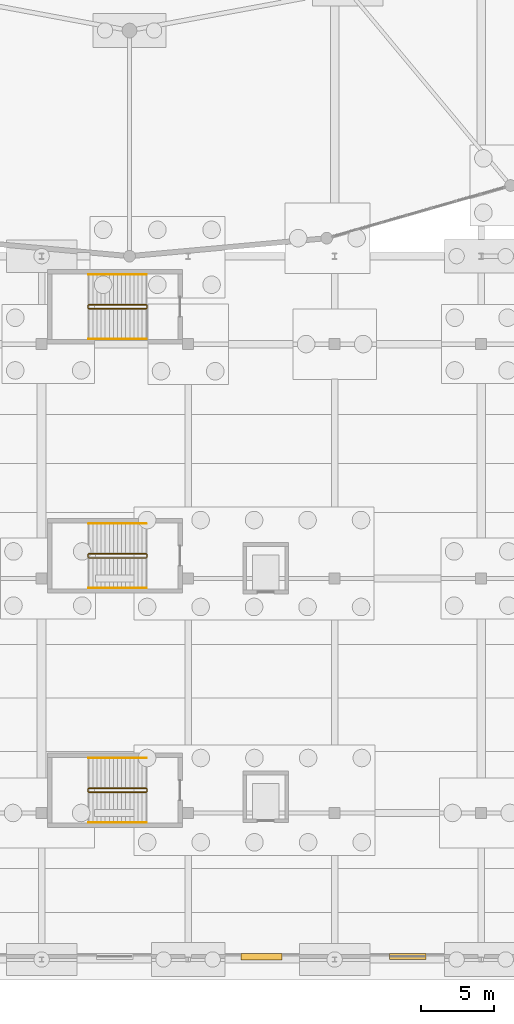
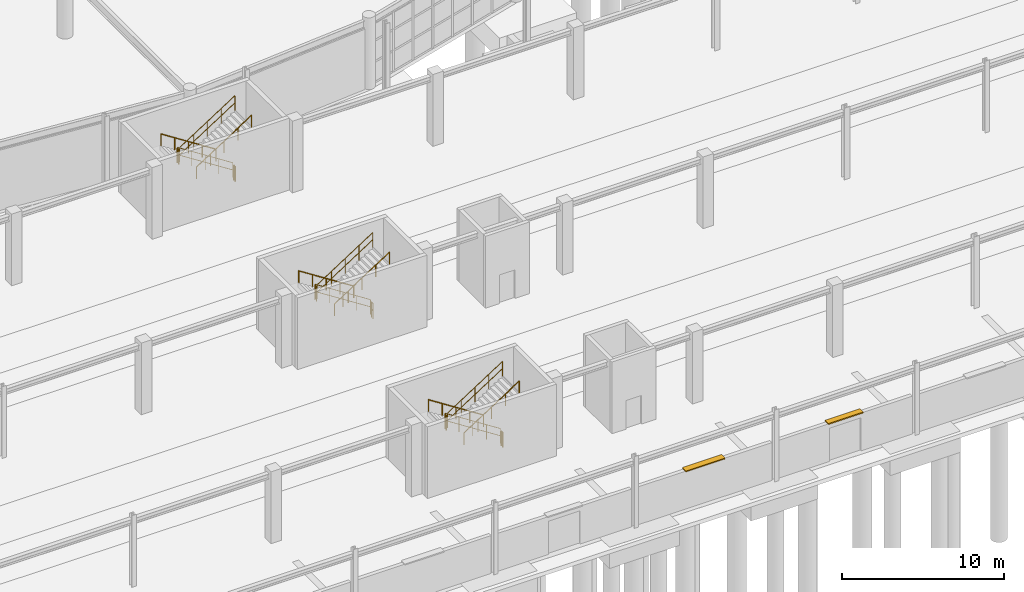
# One storey, part 88 of 99: 18 railings, 2 shading devices.
"""IFC4 building model written with IfcOpenShell, lengths in metres."""

from ifc_helpers import new_model, si_unit, direction, frame, origin, origin_2d, place, context, subcontext, project, spatial, rectangle, circle, extrude, material, layer, layer_set, type_object, element, save


model = new_model("IFC4")

# Units and contexts
model_context = context("Model", 3, precision=1e-05, world=origin(), true_north=direction((0.0, 1.0)))
body_context = subcontext(model_context, "Body", "Model", "MODEL_VIEW")
ifc_project = project(units=[si_unit("LENGTHUNIT", "METRE"), si_unit("AREAUNIT", "SQUARE_METRE"), si_unit("VOLUMEUNIT", "CUBIC_METRE"), si_unit("PLANEANGLEUNIT", "RADIAN"), si_unit("MASSUNIT", "GRAM", prefix="KILO")], contexts=[model_context])

# Site, building, storey
site_placement = place(None, origin())
site = spatial("IfcSite", under=ifc_project, at=site_placement, CompositionType="ELEMENT")
building_placement = place(site_placement, origin())
building = spatial("IfcBuilding", under=site, at=building_placement, Name="Kivolera Central Railway Station", CompositionType="ELEMENT")
storey_placement = place(building_placement, origin())
storey = spatial("IfcBuildingStorey", under=building, at=storey_placement, Name="L00", CompositionType="ELEMENT", Elevation=0.0)

# Shading devices
ifc_material = material(Name="Anodised aluminium", Category="aluminium")
ifc_layer_1 = layer(ifc_material, 0.080078125, Name="Anodised aluminium")
ifc_layer_set_1 = layer_set([ifc_layer_1], Name="Anodised aluminium")
shading_device_type_1 = type_object("IfcShadingDeviceType", Name="BS-LVR-A", PredefinedType="JALOUSIE", material=ifc_layer_set_1)
shading_device_1_placement = place(storey_placement, frame((73.0, 6.199951171875, 2.845947265625), z_axis=(0.0, 0.0, 1.0), x_axis=(1.0, 0.0, 0.0)))
element("IfcShadingDevice", 1, at=shading_device_1_placement, inside=storey, type_object=shading_device_type_1, Name="Platform Monsoon Wind-Baffle Louvre 07", PredefinedType="JALOUSIE", context=body_context, shape_type="SweptSolid", body=[
    extrude(rectangle(XDim=2.800048828125, YDim=0.449951171875, at=origin_2d()), origin(), (0.0, 0.0, 1.0), 0.080078125),
])
ifc_layer_2 = layer(ifc_material, 0.0849609375, Name="Anodised aluminium")
ifc_layer_set_2 = layer_set([ifc_layer_2], Name="Anodised aluminium")
shading_device_type_2 = type_object("IfcShadingDeviceType", Name="BS-LVR-C", PredefinedType="JALOUSIE", material=ifc_layer_set_2)
shading_device_2_placement = place(storey_placement, frame((83.0, 6.199951171875, 2.846435546875), z_axis=(0.0, 0.0, 1.0), x_axis=(1.0, 0.0, 0.0)))
element("IfcShadingDevice", 2, at=shading_device_2_placement, inside=storey, type_object=shading_device_type_2, Name="Platform Monsoon Wind-Baffle Louvre 08", PredefinedType="JALOUSIE", context=body_context, shape_type="SweptSolid", body=[
    extrude(rectangle(XDim=2.5, YDim=0.419921875, at=origin_2d()), origin(), (0.0, 0.0, 1.0), 0.0849609375),
])

# Railings
ifc_layer_3 = layer(ifc_material, 0.048095703125, Name="Anodised aluminium")
ifc_layer_set_3 = layer_set([ifc_layer_3], Name="Anodised aluminium")
railing_type_1 = type_object("IfcRailingType", Name="RL-STAIR-GUARD", PredefinedType="GUARDRAIL", material=ifc_layer_set_3)
railing_1_placement = place(storey_placement, frame((65.139892578125, 50.68994140625, 0.179931640625)))
element("IfcRailing", 3, at=railing_1_placement, inside=storey, type_object=railing_type_1, Name="L00 ST8 stair guard 1", PredefinedType="GUARDRAIL", context=body_context, shape_type="SweptSolid", body=[
    extrude(circle(Radius=0.02392578125, at=origin_2d()), frame((0.0, 0.0, 1.10595703125), z_axis=(-0.841171666519, 0.0, 0.540768182723), x_axis=(0.0, -1.0, 0.0)), (0.0, 0.0, 1.0), 4.66015625),
    extrude(circle(Radius=0.02392578125, at=origin_2d()), frame((0.0, 0.0, 0.56494140625), z_axis=(-0.841171666519, 0.0, 0.540768182723), x_axis=(0.0, -1.0, 0.0)), (0.0, 0.0, 1.0), 4.66015625),
    extrude(circle(Radius=0.02099609375, at=origin_2d()), origin(), (0.0, 0.0, 1.0), 1.081787109375),
    extrude(circle(Radius=0.02099609375, at=origin_2d()), frame((-0.97998046875, 0.0, 0.6298828125)), (0.0, 0.0, 1.0), 1.081787109375),
    extrude(circle(Radius=0.02099609375, at=origin_2d()), frame((-1.9599609375, 0.0, 1.260009765625)), (0.0, 0.0, 1.0), 1.081787109375),
    extrude(circle(Radius=0.02099609375, at=origin_2d()), frame((-2.93994140625, 0.0, 1.89013671875)), (0.0, 0.0, 1.0), 1.081787109375),
    extrude(circle(Radius=0.02099609375, at=origin_2d()), frame((-3.919921875, 0.0, 2.52001953125)), (0.0, 0.0, 1.0), 1.081787109375),
])
railing_2_placement = place(storey_placement, frame((61.169921875, 50.639892578125, 2.699951171875)))
element("IfcRailing", 4, at=railing_2_placement, inside=storey, type_object=railing_type_1, Name="L00 ST8 stair guard 2", PredefinedType="GUARDRAIL", context=body_context, shape_type="SweptSolid", body=[
    extrude(circle(Radius=0.02392578125, at=origin_2d()), frame((0.0, 0.0, 1.10595703125), z_axis=(0.0, -1.0, 0.0), x_axis=(1.0, 0.0, 0.0)), (0.0, 0.0, 1.0), 0.179931640625),
    extrude(circle(Radius=0.02392578125, at=origin_2d()), frame((0.0, 0.0, 0.56494140625), z_axis=(0.0, -1.0, 0.0), x_axis=(1.0, 0.0, 0.0)), (0.0, 0.0, 1.0), 0.179931640625),
    extrude(circle(Radius=0.02099609375, at=origin_2d()), origin(), (0.0, 0.0, 1.0), 1.081787109375),
    extrude(circle(Radius=0.02099609375, at=origin_2d()), frame((0.0, -0.179931640625, 0.0)), (0.0, 0.0, 1.0), 1.081787109375),
])
railing_3_placement = place(storey_placement, frame((61.219970703125, 50.409912109375, 2.8798828125)))
element("IfcRailing", 5, at=railing_3_placement, inside=storey, type_object=railing_type_1, Name="L00 ST8 stair guard 3", PredefinedType="GUARDRAIL", context=body_context, shape_type="SweptSolid", body=[
    extrude(circle(Radius=0.02392578125, at=origin_2d()), frame((0.0, 0.0, 1.10595703125), z_axis=(0.841171666519, 0.0, 0.540768182723), x_axis=(0.0, 1.0, 0.0)), (0.0, 0.0, 1.0), 4.66015625),
    extrude(circle(Radius=0.02392578125, at=origin_2d()), frame((0.0, 0.0, 0.56494140625), z_axis=(0.841171666519, 0.0, 0.540768182723), x_axis=(0.0, 1.0, 0.0)), (0.0, 0.0, 1.0), 4.66015625),
    extrude(circle(Radius=0.02099609375, at=origin_2d()), origin(), (0.0, 0.0, 1.0), 1.081787109375),
    extrude(circle(Radius=0.02099609375, at=origin_2d()), frame((0.97998046875, 0.0, 0.6298828125)), (0.0, 0.0, 1.0), 1.081787109375),
    extrude(circle(Radius=0.02099609375, at=origin_2d()), frame((1.9599609375, 0.0, 1.260009765625)), (0.0, 0.0, 1.0), 1.081787109375),
    extrude(circle(Radius=0.02099609375, at=origin_2d()), frame((2.93994140625, 0.0, 1.89013671875)), (0.0, 0.0, 1.0), 1.081787109375),
    extrude(circle(Radius=0.02099609375, at=origin_2d()), frame((3.919921875, 0.0, 2.52001953125)), (0.0, 0.0, 1.0), 1.081787109375),
])
railing_4_placement = place(storey_placement, frame((65.18994140625, 50.639892578125, 0.0)))
element("IfcRailing", 6, at=railing_4_placement, inside=storey, type_object=railing_type_1, Name="L00 ST8 stair guard 4", PredefinedType="GUARDRAIL", context=body_context, shape_type="SweptSolid", body=[
    extrude(circle(Radius=0.02392578125, at=origin_2d()), frame((0.0, 0.0, 1.10595703125), z_axis=(0.0, -1.0, 0.0), x_axis=(1.0, 0.0, 0.0)), (0.0, 0.0, 1.0), 0.179931640625),
    extrude(circle(Radius=0.02392578125, at=origin_2d()), frame((0.0, 0.0, 0.56494140625), z_axis=(0.0, -1.0, 0.0), x_axis=(1.0, 0.0, 0.0)), (0.0, 0.0, 1.0), 0.179931640625),
    extrude(circle(Radius=0.02099609375, at=origin_2d()), origin(), (0.0, 0.0, 1.0), 1.081787109375),
    extrude(circle(Radius=0.02099609375, at=origin_2d()), frame((0.0, -0.179931640625, 0.0)), (0.0, 0.0, 1.0), 1.081787109375),
])
railing_5_placement = place(storey_placement, frame((65.139892578125, 33.68994140625, 0.179931640625)))
element("IfcRailing", 7, at=railing_5_placement, inside=storey, type_object=railing_type_1, Name="L00 ST9 stair guard 1", PredefinedType="GUARDRAIL", context=body_context, shape_type="SweptSolid", body=[
    extrude(circle(Radius=0.02392578125, at=origin_2d()), frame((0.0, 0.0, 1.10595703125), z_axis=(-0.841171666519, 0.0, 0.540768182723), x_axis=(0.0, -1.0, 0.0)), (0.0, 0.0, 1.0), 4.66015625),
    extrude(circle(Radius=0.02392578125, at=origin_2d()), frame((0.0, 0.0, 0.56494140625), z_axis=(-0.841171666519, 0.0, 0.540768182723), x_axis=(0.0, -1.0, 0.0)), (0.0, 0.0, 1.0), 4.66015625),
    extrude(circle(Radius=0.02099609375, at=origin_2d()), origin(), (0.0, 0.0, 1.0), 1.081787109375),
    extrude(circle(Radius=0.02099609375, at=origin_2d()), frame((-0.97998046875, 0.0, 0.6298828125)), (0.0, 0.0, 1.0), 1.081787109375),
    extrude(circle(Radius=0.02099609375, at=origin_2d()), frame((-1.9599609375, 0.0, 1.260009765625)), (0.0, 0.0, 1.0), 1.081787109375),
    extrude(circle(Radius=0.02099609375, at=origin_2d()), frame((-2.93994140625, 0.0, 1.89013671875)), (0.0, 0.0, 1.0), 1.081787109375),
    extrude(circle(Radius=0.02099609375, at=origin_2d()), frame((-3.919921875, 0.0, 2.52001953125)), (0.0, 0.0, 1.0), 1.081787109375),
])
railing_6_placement = place(storey_placement, frame((61.169921875, 33.639892578125, 2.699951171875)))
element("IfcRailing", 8, at=railing_6_placement, inside=storey, type_object=railing_type_1, Name="L00 ST9 stair guard 2", PredefinedType="GUARDRAIL", context=body_context, shape_type="SweptSolid", body=[
    extrude(circle(Radius=0.02392578125, at=origin_2d()), frame((0.0, 0.0, 1.10595703125), z_axis=(0.0, -1.0, 0.0), x_axis=(1.0, 0.0, 0.0)), (0.0, 0.0, 1.0), 0.179931640625),
    extrude(circle(Radius=0.02392578125, at=origin_2d()), frame((0.0, 0.0, 0.56494140625), z_axis=(0.0, -1.0, 0.0), x_axis=(1.0, 0.0, 0.0)), (0.0, 0.0, 1.0), 0.179931640625),
    extrude(circle(Radius=0.02099609375, at=origin_2d()), origin(), (0.0, 0.0, 1.0), 1.081787109375),
    extrude(circle(Radius=0.02099609375, at=origin_2d()), frame((0.0, -0.179931640625, 0.0)), (0.0, 0.0, 1.0), 1.081787109375),
])
railing_7_placement = place(storey_placement, frame((61.219970703125, 33.409912109375, 2.8798828125)))
element("IfcRailing", 9, at=railing_7_placement, inside=storey, type_object=railing_type_1, Name="L00 ST9 stair guard 3", PredefinedType="GUARDRAIL", context=body_context, shape_type="SweptSolid", body=[
    extrude(circle(Radius=0.02392578125, at=origin_2d()), frame((0.0, 0.0, 1.10595703125), z_axis=(0.841171666519, 0.0, 0.540768182723), x_axis=(0.0, 1.0, 0.0)), (0.0, 0.0, 1.0), 4.66015625),
    extrude(circle(Radius=0.02392578125, at=origin_2d()), frame((0.0, 0.0, 0.56494140625), z_axis=(0.841171666519, 0.0, 0.540768182723), x_axis=(0.0, 1.0, 0.0)), (0.0, 0.0, 1.0), 4.66015625),
    extrude(circle(Radius=0.02099609375, at=origin_2d()), origin(), (0.0, 0.0, 1.0), 1.081787109375),
    extrude(circle(Radius=0.02099609375, at=origin_2d()), frame((0.97998046875, 0.0, 0.6298828125)), (0.0, 0.0, 1.0), 1.081787109375),
    extrude(circle(Radius=0.02099609375, at=origin_2d()), frame((1.9599609375, 0.0, 1.260009765625)), (0.0, 0.0, 1.0), 1.081787109375),
    extrude(circle(Radius=0.02099609375, at=origin_2d()), frame((2.93994140625, 0.0, 1.89013671875)), (0.0, 0.0, 1.0), 1.081787109375),
    extrude(circle(Radius=0.02099609375, at=origin_2d()), frame((3.919921875, 0.0, 2.52001953125)), (0.0, 0.0, 1.0), 1.081787109375),
])
railing_8_placement = place(storey_placement, frame((65.18994140625, 33.639892578125, 0.0)))
element("IfcRailing", 10, at=railing_8_placement, inside=storey, type_object=railing_type_1, Name="L00 ST9 stair guard 4", PredefinedType="GUARDRAIL", context=body_context, shape_type="SweptSolid", body=[
    extrude(circle(Radius=0.02392578125, at=origin_2d()), frame((0.0, 0.0, 1.10595703125), z_axis=(0.0, -1.0, 0.0), x_axis=(1.0, 0.0, 0.0)), (0.0, 0.0, 1.0), 0.179931640625),
    extrude(circle(Radius=0.02392578125, at=origin_2d()), frame((0.0, 0.0, 0.56494140625), z_axis=(0.0, -1.0, 0.0), x_axis=(1.0, 0.0, 0.0)), (0.0, 0.0, 1.0), 0.179931640625),
    extrude(circle(Radius=0.02099609375, at=origin_2d()), origin(), (0.0, 0.0, 1.0), 1.081787109375),
    extrude(circle(Radius=0.02099609375, at=origin_2d()), frame((0.0, -0.179931640625, 0.0)), (0.0, 0.0, 1.0), 1.081787109375),
])
railing_9_placement = place(storey_placement, frame((65.139892578125, 17.68994140625, 0.179931640625)))
element("IfcRailing", 11, at=railing_9_placement, inside=storey, type_object=railing_type_1, Name="L00 ST10 stair guard 1", PredefinedType="GUARDRAIL", context=body_context, shape_type="SweptSolid", body=[
    extrude(circle(Radius=0.02392578125, at=origin_2d()), frame((0.0, 0.0, 1.10595703125), z_axis=(-0.841171666519, 0.0, 0.540768182723), x_axis=(0.0, -1.0, 0.0)), (0.0, 0.0, 1.0), 4.66015625),
    extrude(circle(Radius=0.02392578125, at=origin_2d()), frame((0.0, 0.0, 0.56494140625), z_axis=(-0.841171666519, 0.0, 0.540768182723), x_axis=(0.0, -1.0, 0.0)), (0.0, 0.0, 1.0), 4.66015625),
    extrude(circle(Radius=0.02099609375, at=origin_2d()), origin(), (0.0, 0.0, 1.0), 1.081787109375),
    extrude(circle(Radius=0.02099609375, at=origin_2d()), frame((-0.97998046875, 0.0, 0.6298828125)), (0.0, 0.0, 1.0), 1.081787109375),
    extrude(circle(Radius=0.02099609375, at=origin_2d()), frame((-1.9599609375, 0.0, 1.260009765625)), (0.0, 0.0, 1.0), 1.081787109375),
    extrude(circle(Radius=0.02099609375, at=origin_2d()), frame((-2.93994140625, 0.0, 1.89013671875)), (0.0, 0.0, 1.0), 1.081787109375),
    extrude(circle(Radius=0.02099609375, at=origin_2d()), frame((-3.919921875, 0.0, 2.52001953125)), (0.0, 0.0, 1.0), 1.081787109375),
])
railing_10_placement = place(storey_placement, frame((61.169921875, 17.639892578125, 2.699951171875)))
element("IfcRailing", 12, at=railing_10_placement, inside=storey, type_object=railing_type_1, Name="L00 ST10 stair guard 2", PredefinedType="GUARDRAIL", context=body_context, shape_type="SweptSolid", body=[
    extrude(circle(Radius=0.02392578125, at=origin_2d()), frame((0.0, 0.0, 1.10595703125), z_axis=(0.0, -1.0, 0.0), x_axis=(1.0, 0.0, 0.0)), (0.0, 0.0, 1.0), 0.179931640625),
    extrude(circle(Radius=0.02392578125, at=origin_2d()), frame((0.0, 0.0, 0.56494140625), z_axis=(0.0, -1.0, 0.0), x_axis=(1.0, 0.0, 0.0)), (0.0, 0.0, 1.0), 0.179931640625),
    extrude(circle(Radius=0.02099609375, at=origin_2d()), origin(), (0.0, 0.0, 1.0), 1.081787109375),
    extrude(circle(Radius=0.02099609375, at=origin_2d()), frame((0.0, -0.179931640625, 0.0)), (0.0, 0.0, 1.0), 1.081787109375),
])
railing_11_placement = place(storey_placement, frame((61.219970703125, 17.409912109375, 2.8798828125)))
element("IfcRailing", 13, at=railing_11_placement, inside=storey, type_object=railing_type_1, Name="L00 ST10 stair guard 3", PredefinedType="GUARDRAIL", context=body_context, shape_type="SweptSolid", body=[
    extrude(circle(Radius=0.02392578125, at=origin_2d()), frame((0.0, 0.0, 1.10595703125), z_axis=(0.841171666519, 0.0, 0.540768182723), x_axis=(0.0, 1.0, 0.0)), (0.0, 0.0, 1.0), 4.66015625),
    extrude(circle(Radius=0.02392578125, at=origin_2d()), frame((0.0, 0.0, 0.56494140625), z_axis=(0.841171666519, 0.0, 0.540768182723), x_axis=(0.0, 1.0, 0.0)), (0.0, 0.0, 1.0), 4.66015625),
    extrude(circle(Radius=0.02099609375, at=origin_2d()), origin(), (0.0, 0.0, 1.0), 1.081787109375),
    extrude(circle(Radius=0.02099609375, at=origin_2d()), frame((0.97998046875, 0.0, 0.6298828125)), (0.0, 0.0, 1.0), 1.081787109375),
    extrude(circle(Radius=0.02099609375, at=origin_2d()), frame((1.9599609375, 0.0, 1.260009765625)), (0.0, 0.0, 1.0), 1.081787109375),
    extrude(circle(Radius=0.02099609375, at=origin_2d()), frame((2.93994140625, 0.0, 1.89013671875)), (0.0, 0.0, 1.0), 1.081787109375),
    extrude(circle(Radius=0.02099609375, at=origin_2d()), frame((3.919921875, 0.0, 2.52001953125)), (0.0, 0.0, 1.0), 1.081787109375),
])
railing_12_placement = place(storey_placement, frame((65.18994140625, 17.639892578125, 0.0)))
element("IfcRailing", 14, at=railing_12_placement, inside=storey, type_object=railing_type_1, Name="L00 ST10 stair guard 4", PredefinedType="GUARDRAIL", context=body_context, shape_type="SweptSolid", body=[
    extrude(circle(Radius=0.02392578125, at=origin_2d()), frame((0.0, 0.0, 1.10595703125), z_axis=(0.0, -1.0, 0.0), x_axis=(1.0, 0.0, 0.0)), (0.0, 0.0, 1.0), 0.179931640625),
    extrude(circle(Radius=0.02392578125, at=origin_2d()), frame((0.0, 0.0, 0.56494140625), z_axis=(0.0, -1.0, 0.0), x_axis=(1.0, 0.0, 0.0)), (0.0, 0.0, 1.0), 0.179931640625),
    extrude(circle(Radius=0.02099609375, at=origin_2d()), origin(), (0.0, 0.0, 1.0), 1.081787109375),
    extrude(circle(Radius=0.02099609375, at=origin_2d()), frame((0.0, -0.179931640625, 0.0)), (0.0, 0.0, 1.0), 1.081787109375),
])
ifc_layer_4 = layer(ifc_material, 0.048095703125, Name="Anodised aluminium")
ifc_layer_set_4 = layer_set([ifc_layer_4], Name="Anodised aluminium")
railing_type_2 = type_object("IfcRailingType", Name="RL-STAIR-HAND", PredefinedType="HANDRAIL", material=ifc_layer_set_4)
railing_13_placement = place(storey_placement, frame((65.139892578125, 52.75, 0.179931640625)))
element("IfcRailing", 15, at=railing_13_placement, inside=storey, type_object=railing_type_2, Name="L00 ST8 stair handrail 1", PredefinedType="HANDRAIL", context=body_context, shape_type="SweptSolid", body=[
    extrude(circle(Radius=0.02392578125, at=origin_2d()), frame((0.0, 0.0, 0.8759765625), z_axis=(-0.841171666519, 0.0, 0.540768182723), x_axis=(0.0, -1.0, 0.0)), (0.0, 0.0, 1.0), 4.66015625),
    extrude(circle(Radius=0.02099609375, at=origin_2d()), origin(), (0.0, 0.0, 1.0), 0.851806640625),
    extrude(circle(Radius=0.02099609375, at=origin_2d()), frame((-0.97998046875, 0.0, 0.6298828125)), (0.0, 0.0, 1.0), 0.851806640625),
    extrude(circle(Radius=0.02099609375, at=origin_2d()), frame((-1.9599609375, 0.0, 1.260009765625)), (0.0, 0.0, 1.0), 0.851806640625),
    extrude(circle(Radius=0.02099609375, at=origin_2d()), frame((-2.93994140625, 0.0, 1.89013671875)), (0.0, 0.0, 1.0), 0.851806640625),
    extrude(circle(Radius=0.02099609375, at=origin_2d()), frame((-3.919921875, 0.0, 2.52001953125)), (0.0, 0.0, 1.0), 0.851806640625),
])
railing_14_placement = place(storey_placement, frame((61.219970703125, 48.35009765625, 2.8798828125)))
element("IfcRailing", 16, at=railing_14_placement, inside=storey, type_object=railing_type_2, Name="L00 ST8 stair handrail 2", PredefinedType="HANDRAIL", context=body_context, shape_type="SweptSolid", body=[
    extrude(circle(Radius=0.02392578125, at=origin_2d()), frame((0.0, 0.0, 0.8759765625), z_axis=(0.841171666519, 0.0, 0.540768182723), x_axis=(0.0, 1.0, 0.0)), (0.0, 0.0, 1.0), 4.66015625),
    extrude(circle(Radius=0.02099609375, at=origin_2d()), origin(), (0.0, 0.0, 1.0), 0.851806640625),
    extrude(circle(Radius=0.02099609375, at=origin_2d()), frame((0.97998046875, 0.0, 0.6298828125)), (0.0, 0.0, 1.0), 0.851806640625),
    extrude(circle(Radius=0.02099609375, at=origin_2d()), frame((1.9599609375, 0.0, 1.260009765625)), (0.0, 0.0, 1.0), 0.851806640625),
    extrude(circle(Radius=0.02099609375, at=origin_2d()), frame((2.93994140625, 0.0, 1.89013671875)), (0.0, 0.0, 1.0), 0.851806640625),
    extrude(circle(Radius=0.02099609375, at=origin_2d()), frame((3.919921875, 0.0, 2.52001953125)), (0.0, 0.0, 1.0), 0.851806640625),
])
railing_15_placement = place(storey_placement, frame((65.139892578125, 35.75, 0.179931640625)))
element("IfcRailing", 17, at=railing_15_placement, inside=storey, type_object=railing_type_2, Name="L00 ST9 stair handrail 1", PredefinedType="HANDRAIL", context=body_context, shape_type="SweptSolid", body=[
    extrude(circle(Radius=0.02392578125, at=origin_2d()), frame((0.0, 0.0, 0.8759765625), z_axis=(-0.841171666519, 0.0, 0.540768182723), x_axis=(0.0, -1.0, 0.0)), (0.0, 0.0, 1.0), 4.66015625),
    extrude(circle(Radius=0.02099609375, at=origin_2d()), origin(), (0.0, 0.0, 1.0), 0.851806640625),
    extrude(circle(Radius=0.02099609375, at=origin_2d()), frame((-0.97998046875, 0.0, 0.6298828125)), (0.0, 0.0, 1.0), 0.851806640625),
    extrude(circle(Radius=0.02099609375, at=origin_2d()), frame((-1.9599609375, 0.0, 1.260009765625)), (0.0, 0.0, 1.0), 0.851806640625),
    extrude(circle(Radius=0.02099609375, at=origin_2d()), frame((-2.93994140625, 0.0, 1.89013671875)), (0.0, 0.0, 1.0), 0.851806640625),
    extrude(circle(Radius=0.02099609375, at=origin_2d()), frame((-3.919921875, 0.0, 2.52001953125)), (0.0, 0.0, 1.0), 0.851806640625),
])
railing_16_placement = place(storey_placement, frame((61.219970703125, 31.35009765625, 2.8798828125)))
element("IfcRailing", 18, at=railing_16_placement, inside=storey, type_object=railing_type_2, Name="L00 ST9 stair handrail 2", PredefinedType="HANDRAIL", context=body_context, shape_type="SweptSolid", body=[
    extrude(circle(Radius=0.02392578125, at=origin_2d()), frame((0.0, 0.0, 0.8759765625), z_axis=(0.841171666519, 0.0, 0.540768182723), x_axis=(0.0, 1.0, 0.0)), (0.0, 0.0, 1.0), 4.66015625),
    extrude(circle(Radius=0.02099609375, at=origin_2d()), origin(), (0.0, 0.0, 1.0), 0.851806640625),
    extrude(circle(Radius=0.02099609375, at=origin_2d()), frame((0.97998046875, 0.0, 0.6298828125)), (0.0, 0.0, 1.0), 0.851806640625),
    extrude(circle(Radius=0.02099609375, at=origin_2d()), frame((1.9599609375, 0.0, 1.260009765625)), (0.0, 0.0, 1.0), 0.851806640625),
    extrude(circle(Radius=0.02099609375, at=origin_2d()), frame((2.93994140625, 0.0, 1.89013671875)), (0.0, 0.0, 1.0), 0.851806640625),
    extrude(circle(Radius=0.02099609375, at=origin_2d()), frame((3.919921875, 0.0, 2.52001953125)), (0.0, 0.0, 1.0), 0.851806640625),
])
railing_17_placement = place(storey_placement, frame((65.139892578125, 19.75, 0.179931640625)))
element("IfcRailing", 19, at=railing_17_placement, inside=storey, type_object=railing_type_2, Name="L00 ST10 stair handrail 1", PredefinedType="HANDRAIL", context=body_context, shape_type="SweptSolid", body=[
    extrude(circle(Radius=0.02392578125, at=origin_2d()), frame((0.0, 0.0, 0.8759765625), z_axis=(-0.841171666519, 0.0, 0.540768182723), x_axis=(0.0, -1.0, 0.0)), (0.0, 0.0, 1.0), 4.66015625),
    extrude(circle(Radius=0.02099609375, at=origin_2d()), origin(), (0.0, 0.0, 1.0), 0.851806640625),
    extrude(circle(Radius=0.02099609375, at=origin_2d()), frame((-0.97998046875, 0.0, 0.6298828125)), (0.0, 0.0, 1.0), 0.851806640625),
    extrude(circle(Radius=0.02099609375, at=origin_2d()), frame((-1.9599609375, 0.0, 1.260009765625)), (0.0, 0.0, 1.0), 0.851806640625),
    extrude(circle(Radius=0.02099609375, at=origin_2d()), frame((-2.93994140625, 0.0, 1.89013671875)), (0.0, 0.0, 1.0), 0.851806640625),
    extrude(circle(Radius=0.02099609375, at=origin_2d()), frame((-3.919921875, 0.0, 2.52001953125)), (0.0, 0.0, 1.0), 0.851806640625),
])
railing_18_placement = place(storey_placement, frame((61.219970703125, 15.35009765625, 2.8798828125)))
element("IfcRailing", 20, at=railing_18_placement, inside=storey, type_object=railing_type_2, Name="L00 ST10 stair handrail 2", PredefinedType="HANDRAIL", context=body_context, shape_type="SweptSolid", body=[
    extrude(circle(Radius=0.02392578125, at=origin_2d()), frame((0.0, 0.0, 0.8759765625), z_axis=(0.841171666519, 0.0, 0.540768182723), x_axis=(0.0, 1.0, 0.0)), (0.0, 0.0, 1.0), 4.66015625),
    extrude(circle(Radius=0.02099609375, at=origin_2d()), origin(), (0.0, 0.0, 1.0), 0.851806640625),
    extrude(circle(Radius=0.02099609375, at=origin_2d()), frame((0.97998046875, 0.0, 0.6298828125)), (0.0, 0.0, 1.0), 0.851806640625),
    extrude(circle(Radius=0.02099609375, at=origin_2d()), frame((1.9599609375, 0.0, 1.260009765625)), (0.0, 0.0, 1.0), 0.851806640625),
    extrude(circle(Radius=0.02099609375, at=origin_2d()), frame((2.93994140625, 0.0, 1.89013671875)), (0.0, 0.0, 1.0), 0.851806640625),
    extrude(circle(Radius=0.02099609375, at=origin_2d()), frame((3.919921875, 0.0, 2.52001953125)), (0.0, 0.0, 1.0), 0.851806640625),
])

save(model, "model.ifc")
